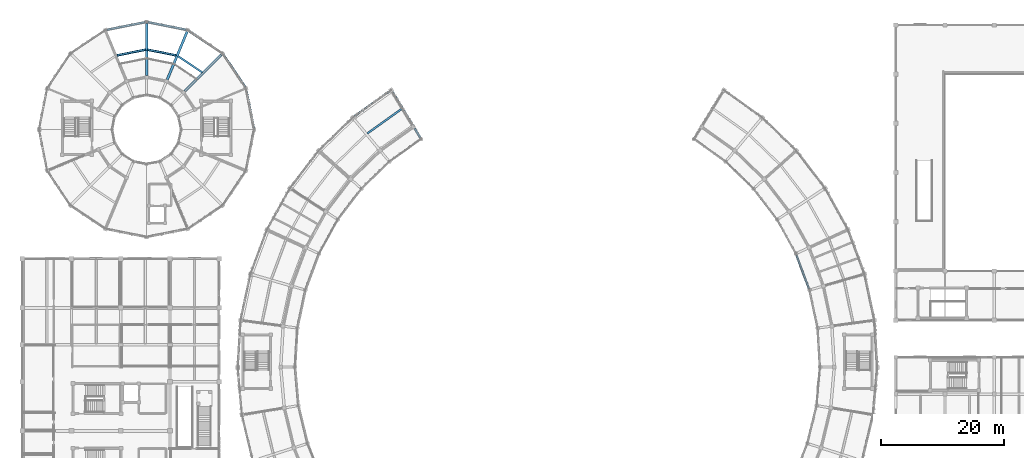
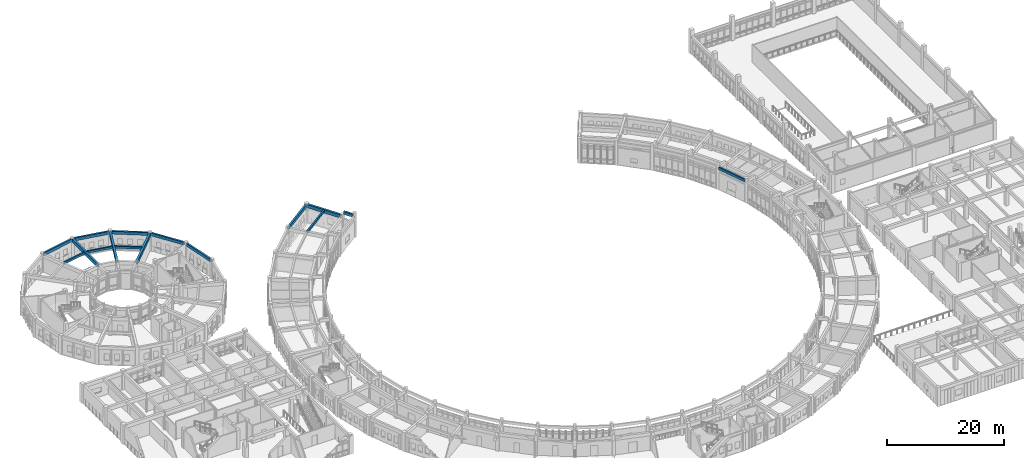
# One storey, part 73 of 159: 16 beams.
"""IFC4 building model written with IfcOpenShell, lengths in metres."""

from ifc_helpers import new_model, si_unit, direction, frame, origin, origin_2d, place, context, subcontext, project, spatial, rectangle, extrude, material, material_profile, profile_set, type_object, element, save


model = new_model("IFC4")

# Units and contexts
model_context = context("Model", 3, precision=1e-05, world=origin(), true_north=direction((0.0, 1.0)))
body_context = subcontext(model_context, "Body", "Model", "MODEL_VIEW")
ifc_project = project(units=[si_unit("LENGTHUNIT", "METRE"), si_unit("AREAUNIT", "SQUARE_METRE"), si_unit("VOLUMEUNIT", "CUBIC_METRE"), si_unit("PLANEANGLEUNIT", "RADIAN"), si_unit("MASSUNIT", "GRAM", prefix="KILO")], contexts=[model_context])

# Site, building, storey
site_placement = place(None, origin())
site = spatial("IfcSite", under=ifc_project, at=site_placement, CompositionType="ELEMENT")
building_placement = place(site_placement, origin())
building = spatial("IfcBuilding", under=site, at=building_placement, Name="Celadon Cloister-Ring School", CompositionType="ELEMENT")
storey_placement = place(building_placement, frame((0.0, 0.0, 4.5)))
storey = spatial("IfcBuildingStorey", under=building, at=storey_placement, Name="L01", CompositionType="ELEMENT", Elevation=4.5)

# Beams
ifc_material_1 = material(Name="Concrete C35/45", Category="concrete")
ifc_material_profile_1 = material_profile(ifc_material_1, rectangle(XDim=0.35009765625, YDim=0.60009765625, at=origin_2d()), Name="RC350X600")
ifc_profile_set_1 = profile_set([ifc_material_profile_1], Name="Concrete C35/45")
beam_type_1 = type_object("IfcBeamType", Name="BT-02", PredefinedType="BEAM", material=ifc_profile_set_1)
beam_1_placement = place(storey_placement, frame((63.7509765625, 97.20703125, 4.35009765625), z_axis=(0.520047301732, -0.854137461982, 0.0), x_axis=(0.854137461982, 0.520047301732, 0.0)))
element("IfcBeam", 1, at=beam_1_placement, inside=storey, type_object=beam_type_1, Name="Beam 0200", PredefinedType="BEAM", context=body_context, shape_type="SweptSolid", body=[
    extrude(rectangle(XDim=0.35009765625, YDim=0.60009765625, at=origin_2d()), origin(), (0.0, 0.0, 1.0), 1.77490234375),
])
ifc_material_2 = material(Name="Concrete C35/45", Category="concrete")
ifc_material_profile_2 = material_profile(ifc_material_2, rectangle(XDim=0.39990234375, YDim=0.699951171875, at=origin_2d()), Name="RC400X700")
ifc_profile_set_2 = profile_set([ifc_material_profile_2], Name="Concrete C35/45")
beam_type_2 = type_object("IfcBeamType", Name="GT-03", PredefinedType="USERDEFINED", material=ifc_profile_set_2)
beam_2_placement = place(storey_placement, frame((60.125, 103.166015625, 3.429931640625), z_axis=(0.519827607183, -0.854271185754, 0.0), x_axis=(0.854271185754, 0.519827607183, 0.0)))
element("IfcBeam", 2, at=beam_2_placement, inside=storey, type_object=beam_type_2, Name="Beam 0199", ObjectType="GIRDER", PredefinedType="USERDEFINED", context=body_context, shape_type="SweptSolid", body=[
    extrude(rectangle(XDim=0.39990234375, YDim=0.699951171875, at=origin_2d()), origin(), (0.0, 0.0, 1.0), 6.42529296875),
])
beam_3_placement = place(storey_placement, frame((32.3798828125, 109.179931640625, 3.429931640625), z_axis=(-0.707106781187, -0.707106781187, 0.0), x_axis=(0.707106781187, -0.707106781187, 0.0)))
element("IfcBeam", 3, at=beam_3_placement, inside=storey, type_object=beam_type_2, Name="Beam 0661", ObjectType="GIRDER", PredefinedType="USERDEFINED", context=body_context, shape_type="SweptSolid", body=[
    extrude(rectangle(XDim=0.39990234375, YDim=0.699951171875, at=origin_2d()), origin(), (0.0, 0.0, 1.0), 8.475341796875),
])
for number, where, z_axis, x_axis, name in (
    (4, (26.7919921875, 112.9140625, 3.429931640625), (-0.382642680076, -0.923896411609, 0.0), (0.923896411609, -0.382642680076, 0.0), "Beam 0663"),
    (5, (20.199951171875, 114.22509765625, 3.429931640625), (0.0, -1.0, 0.0), (1.0, 0.0, 0.0), "Beam 0665"),
):
    element("IfcBeam", number, at=place(storey_placement, frame(where, z_axis=z_axis, x_axis=x_axis)), inside=storey, type_object=beam_type_2, Name=name, ObjectType="GIRDER", PredefinedType="USERDEFINED", context=body_context, shape_type="SweptSolid", body=[
        extrude(rectangle(XDim=0.39990234375, YDim=0.699951171875, at=origin_2d()), origin(), (0.0, 0.0, 1.0), 8.47509765625),
    ])
ifc_material_3 = material(Name="Concrete C35/45", Category="concrete")
ifc_material_profile_3 = material_profile(ifc_material_3, rectangle(XDim=0.300048828125, YDim=0.449951171875, at=origin_2d()), Name="RC300X450")
ifc_profile_set_3 = profile_set([ifc_material_profile_3], Name="Concrete C35/45")
beam_type_3 = type_object("IfcBeamType", Name="JT-01", PredefinedType="JOIST", material=ifc_profile_set_3)
beam_4_placement = place(storey_placement, frame((61.64697265625, 100.330078125, 3.554931640625), z_axis=(-0.813530711364, -0.581521952868, 0.0), x_axis=(0.581521952868, -0.813530711364, 0.0)))
element("IfcBeam", 6, at=beam_4_placement, inside=storey, type_object=beam_type_3, Name="Beam 0270", PredefinedType="JOIST", context=body_context, shape_type="SweptSolid", body=[
    extrude(rectangle(XDim=0.300048828125, YDim=0.449951171875, at=origin_2d()), origin(), (0.0, 0.0, 1.0), 6.835693359375),
])
beam_5_placement = place(storey_placement, frame((29.24609375, 106.2890625, 3.554931640625), z_axis=(-0.831333623542, 0.55577370068, 0.0), x_axis=(-0.55577370068, -0.831333623542, 0.0)))
element("IfcBeam", 7, at=beam_5_placement, inside=storey, type_object=beam_type_3, Name="Beam 0692", PredefinedType="JOIST", context=body_context, shape_type="SweptSolid", body=[
    extrude(rectangle(XDim=0.300048828125, YDim=0.449951171875, at=origin_2d()), origin(), (0.0, 0.0, 1.0), 4.721435546875),
])
beam_6_placement = place(storey_placement, frame((25.0029296875, 109.0439453125, 3.554931640625), z_axis=(-0.980745387492, 0.195290770169, 0.0), x_axis=(-0.195290770169, -0.980745387492, 0.0)))
element("IfcBeam", 8, at=beam_6_placement, inside=storey, type_object=beam_type_3, Name="Beam 0696", PredefinedType="JOIST", context=body_context, shape_type="SweptSolid", body=[
    extrude(rectangle(XDim=0.300048828125, YDim=0.449951171875, at=origin_2d()), origin(), (0.0, 0.0, 1.0), 4.7216796875),
])
beam_7_placement = place(storey_placement, frame((20.028076171875, 109.966064453125, 3.554931640625), z_axis=(-0.980747359302, -0.195280867525, 0.0), x_axis=(0.195280867525, -0.980747359302, 0.0)))
element("IfcBeam", 9, at=beam_7_placement, inside=storey, type_object=beam_type_3, Name="Beam 0700", PredefinedType="JOIST", context=body_context, shape_type="SweptSolid", body=[
    extrude(rectangle(XDim=0.300048828125, YDim=0.449951171875, at=origin_2d()), origin(), (0.0, 0.0, 1.0), 4.721923828125),
])
ifc_material_4 = material(Name="Concrete C35/45", Category="concrete")
ifc_material_profile_4 = material_profile(ifc_material_4, rectangle(XDim=0.35009765625, YDim=0.60009765625, at=origin_2d()), Name="RC350X600")
ifc_profile_set_4 = profile_set([ifc_material_profile_4], Name="Concrete C35/45")
beam_type_4 = type_object("IfcBeamType", Name="SP-01", PredefinedType="SPANDREL", material=ifc_profile_set_4)
beam_8_placement = place(storey_placement, frame((59.72509765625, 103.2470703125, 3.47998046875), z_axis=(-0.813473280121, -0.581602288965, 0.0), x_axis=(0.581602288965, -0.813473280121, 0.0)))
element("IfcBeam", 10, at=beam_8_placement, inside=storey, type_object=beam_type_4, Name="Beam 0267", PredefinedType="SPANDREL", context=body_context, shape_type="SweptSolid", body=[
    extrude(rectangle(XDim=0.35009765625, YDim=0.60009765625, at=origin_2d()), origin(), (0.0, 0.0, 1.0), 7.10302734375),
])
for number, where, z_axis, x_axis, name in (
    (11, (37.64599609375, 97.27001953125, 3.47998046875), (-0.194964206518, 0.980810357907, 0.0), (-0.980810357907, -0.194964206518, 0.0), "Beam 0684"),
    (12, (36.215087890625, 103.926025390625, 3.47998046875), (-0.555660177561, 0.831409506244, 0.0), (-0.831409506244, -0.555660177561, 0.0), "Beam 0686"),
):
    element("IfcBeam", number, at=place(storey_placement, frame(where, z_axis=z_axis, x_axis=x_axis)), inside=storey, type_object=beam_type_4, Name=name, PredefinedType="SPANDREL", context=body_context, shape_type="SweptSolid", body=[
        extrude(rectangle(XDim=0.35009765625, YDim=0.60009765625, at=origin_2d()), origin(), (0.0, 0.0, 1.0), 6.27734375),
    ])
beam_9_placement = place(storey_placement, frame((32.344970703125, 109.527099609375, 3.47998046875), z_axis=(-0.831427473898, 0.555633292422, 0.0), x_axis=(-0.555633292422, -0.831427473898, 0.0)))
element("IfcBeam", 13, at=beam_9_placement, inside=storey, type_object=beam_type_4, Name="Beam 0689", PredefinedType="SPANDREL", context=body_context, shape_type="SweptSolid", body=[
    extrude(rectangle(XDim=0.35009765625, YDim=0.60009765625, at=origin_2d()), origin(), (0.0, 0.0, 1.0), 6.277099609375),
])
for number, where, z_axis, x_axis, name in (
    (14, (26.626953125, 113.221923828125, 3.47998046875), (-0.980802920261, 0.195001619501, 0.0), (-0.195001619501, -0.980802920261, 0.0), "Beam 0693"),
    (15, (19.929931640625, 114.446044921875, 3.47998046875), (-0.980802920261, -0.195001619501, 0.0), (0.195001619501, -0.980802920261, 0.0), "Beam 0697"),
):
    element("IfcBeam", number, at=place(storey_placement, frame(where, z_axis=z_axis, x_axis=x_axis)), inside=storey, type_object=beam_type_4, Name=name, PredefinedType="SPANDREL", context=body_context, shape_type="SweptSolid", body=[
        extrude(rectangle(XDim=0.35009765625, YDim=0.60009765625, at=origin_2d()), origin(), (0.0, 0.0, 1.0), 6.277587890625),
    ])
ifc_material_5 = material(Name="Concrete C35/45", Category="concrete")
ifc_material_profile_5 = material_profile(ifc_material_5, rectangle(XDim=0.300048828125, YDim=0.550048828125, at=origin_2d()), Name="RC300X550")
ifc_profile_set_5 = profile_set([ifc_material_profile_5], Name="Concrete C35/45")
beam_type_5 = type_object("IfcBeamType", Name="SP-02", PredefinedType="SPANDREL", material=ifc_profile_set_5)
beam_10_placement = place(storey_placement, frame((127.85205078125, 71.179931640625, 4.375), z_axis=(-0.34939642525, 0.936974993275, 0.0), x_axis=(-0.936974993275, -0.34939642525, 0.0)))
element("IfcBeam", 16, at=beam_10_placement, inside=storey, type_object=beam_type_5, Name="Beam 0379", PredefinedType="SPANDREL", context=body_context, shape_type="SweptSolid", body=[
    extrude(rectangle(XDim=0.300048828125, YDim=0.550048828125, at=origin_2d()), origin(), (0.0, 0.0, 1.0), 5.718505859375),
])

save(model, "model.ifc")
